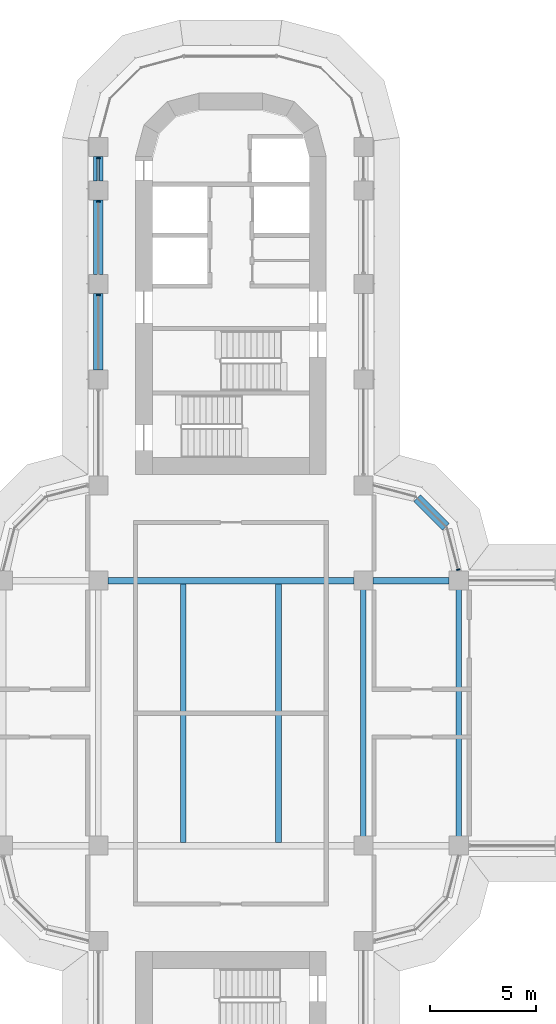
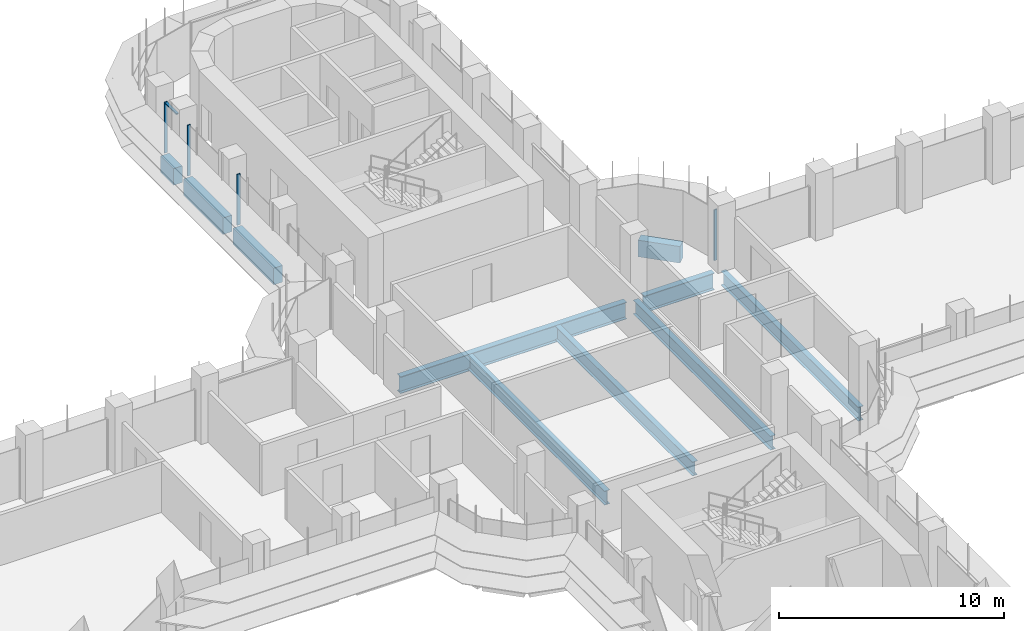
# One storey, part 7 of 21: 10 beams, 5 members, 2 elements without a shape of their own.
"""IFC4 building model written with IfcOpenShell, lengths in metres."""

from ifc_helpers import new_model, si_unit, direction, frame, origin, origin_2d, place, context, subcontext, project, spatial, polyline, rectangle, i_section, outline, extrude, source, transform, mapped, material, material_profile, profile_set, type_object, element, aggregate, save


model = new_model("IFC4")

# Units and contexts
model_context = context("Model", 3, precision=1e-05, world=origin(), true_north=direction((0.0, 1.0)))
body_context = subcontext(model_context, "Body", "Model", "MODEL_VIEW")
ifc_project = project(units=[si_unit("LENGTHUNIT", "METRE"), si_unit("AREAUNIT", "SQUARE_METRE"), si_unit("VOLUMEUNIT", "CUBIC_METRE"), si_unit("PLANEANGLEUNIT", "RADIAN"), si_unit("MASSUNIT", "GRAM", prefix="KILO")], contexts=[model_context])

# Site, building, storey
site_placement = place(None, origin())
site = spatial("IfcSite", under=ifc_project, at=site_placement, CompositionType="ELEMENT")
building_placement = place(site_placement, origin())
building = spatial("IfcBuilding", under=site, at=building_placement, Name="Zarbagh Exchange Tower", CompositionType="ELEMENT")
storey_placement = place(building_placement, frame((0.0, 0.0, 117.0)))
storey = spatial("IfcBuildingStorey", under=building, at=storey_placement, Name="L27", CompositionType="ELEMENT", Elevation=117.0)

# Beams
ifc_material_1 = material(Name="Steel ASTM A992 Gr 50", Category="steel")
ifc_material_profile_1 = material_profile(ifc_material_1, i_section(OverallWidth=0.2666015625, OverallDepth=0.7568359375, WebThickness=0.013916015625, FlangeThickness=0.019287109375, at=origin_2d()), Name="W30X108")
ifc_profile_set_1 = profile_set([ifc_material_profile_1], Name="Steel ASTM A992 Gr 50")
beam_type_1 = type_object("IfcBeamType", Name="Floor beam W30X108", PredefinedType="BEAM", material=ifc_profile_set_1)
for number, where, z_axis, x_axis, name in (
    (1, (-2.25, -6.09765625, -0.5283203125), (0.0, 1.0, 0.0), (-1.0, 0.0, 0.0), "Steel floor beam"),
    (2, (2.25, -6.09765625, -0.5283203125), (0.0, 1.0, 0.0), (-1.0, 0.0, 0.0), "Steel floor beam"),
    (3, (6.25, -6.09765625, -0.5283203125), (0.0, 1.0, 0.0), (-1.0, 0.0, 0.0), "Steel floor beam"),
    (4, (10.75, -6.09765625, -0.5283203125), (0.0, 1.0, 0.0), (-1.0, 0.0, 0.0), "Steel floor beam"),
):
    element("IfcBeam", number, at=place(storey_placement, frame(where, z_axis=z_axis, x_axis=x_axis)), inside=storey, type_object=beam_type_1, Name=name, PredefinedType="BEAM", context=body_context, shape_type="SweptSolid", body=[
        extrude(i_section(OverallWidth=0.2666015625, OverallDepth=0.7568359375, WebThickness=0.013916015625, FlangeThickness=0.019287109375, at=origin_2d()), origin(), (0.0, 0.0, 1.0), 12.1953125),
    ])
ifc_material_profile_2 = material_profile(ifc_material_1, i_section(OverallWidth=0.3046875, OverallDepth=0.911865234375, WebThickness=0.015869140625, FlangeThickness=0.02392578125, at=origin_2d()), Name="W36X150")
ifc_profile_set_2 = profile_set([ifc_material_profile_2], Name="Steel ASTM A992 Gr 50")
beam_type_2 = type_object("IfcBeamType", Name="Floor girder W36X150", PredefinedType="BEAM", material=ifc_profile_set_2)
beam_1_placement = place(storey_placement, frame((-5.800048828125, 6.25, -0.60595703125), z_axis=(1.0, 0.0, 0.0), x_axis=(0.0, 1.0, 0.0)))
element("IfcBeam", 5, at=beam_1_placement, inside=storey, type_object=beam_type_2, Name="Steel girder", PredefinedType="BEAM", context=body_context, shape_type="SweptSolid", body=[
    extrude(i_section(OverallWidth=0.3046875, OverallDepth=0.911865234375, WebThickness=0.015869140625, FlangeThickness=0.02392578125, at=origin_2d()), origin(), (0.0, 0.0, 1.0), 11.60009765625),
])
beam_2_placement = place(storey_placement, frame((6.699951171875, 6.25, -0.60595703125), z_axis=(1.0, 0.0, 0.0), x_axis=(0.0, 1.0, 0.0)))
element("IfcBeam", 6, at=beam_2_placement, inside=storey, type_object=beam_type_2, Name="Steel girder", PredefinedType="BEAM", context=body_context, shape_type="SweptSolid", body=[
    extrude(i_section(OverallWidth=0.3046875, OverallDepth=0.911865234375, WebThickness=0.015869140625, FlangeThickness=0.02392578125, at=origin_2d()), origin(), (0.0, 0.0, 1.0), 3.60009765625),
])
ifc_material_2 = material(Name="Concrete C60/75", Category="concrete")
ifc_material_profile_3 = material_profile(ifc_material_2, rectangle(XDim=0.449951171875, YDim=0.89990234375, at=origin_2d()), Name="RC spandrel beam 450 x 900 C60/75")
ifc_profile_set_3 = profile_set([ifc_material_profile_3], Name="Concrete C60/75")
beam_type_3 = type_object("IfcBeamType", Name="RC spandrel beam 450 x 900 C60/75", PredefinedType="SPANDREL", material=ifc_profile_set_3)
beam_3_placement = place(storey_placement, frame((-6.25, 16.199951171875, -0.60009765625), z_axis=(0.0, 1.0, 0.0), x_axis=(-1.0, 0.0, 0.0)))
element("IfcBeam", 7, at=beam_3_placement, inside=storey, type_object=beam_type_3, Name="RC spandrel beam", PredefinedType="SPANDREL", context=body_context, shape_type="SweptSolid", body=[
    extrude(rectangle(XDim=0.449951171875, YDim=0.89990234375, at=origin_2d()), origin(), (0.0, 0.0, 1.0), 3.60009765625),
])
beam_4_placement = place(storey_placement, frame((-6.25, 20.699951171875, -0.60009765625), z_axis=(0.0, 1.0, 0.0), x_axis=(-1.0, 0.0, 0.0)))
element("IfcBeam", 8, at=beam_4_placement, inside=storey, type_object=beam_type_3, Name="RC spandrel beam", PredefinedType="SPANDREL", context=body_context, shape_type="SweptSolid", body=[
    extrude(rectangle(XDim=0.449951171875, YDim=0.89990234375, at=origin_2d()), origin(), (0.0, 0.0, 1.0), 3.5),
])
beam_5_placement = place(storey_placement, frame((-6.25, 25.10009765625, -0.60009765625), z_axis=(0.0, 1.0, 0.0), x_axis=(-1.0, 0.0, 0.0)))
element("IfcBeam", 9, at=beam_5_placement, inside=storey, type_object=beam_type_3, Name="RC spandrel beam", PredefinedType="SPANDREL", context=body_context, shape_type="SweptSolid", body=[
    extrude(rectangle(XDim=0.449951171875, YDim=0.89990234375, at=origin_2d()), origin(), (0.0, 0.0, 1.0), 1.14990234375),
])
beam_6_placement = place(storey_placement, frame((8.78759765625, 10.15234375, -0.60009765625), z_axis=(0.707106781187, -0.707106781187, 0.0), x_axis=(0.707106781187, 0.707106781187, 0.0)))
element("IfcBeam", 10, at=beam_6_placement, inside=storey, type_object=beam_type_3, Name="RC spandrel beam", PredefinedType="SPANDREL", context=body_context, shape_type="SweptSolid", body=[
    extrude(rectangle(XDim=0.449951171875, YDim=0.89990234375, at=origin_2d()), origin(), (0.0, 0.0, 1.0), 1.929931640625),
])

# Curtain wall, member
ifc_material_3 = material(Name="Anodised aluminium frame and glazing", Category="aluminium")
curtain_wall_type = type_object("IfcCurtainWallType", Name="CWA Ribbon glazing, lower zones", PredefinedType="NOTDEFINED", material=ifc_material_3)
curtain_wall_1_placement = place(storey_placement, origin())
curtain_wall_1 = element("IfcCurtainWall", 11, at=curtain_wall_1_placement, inside=storey, type_object=curtain_wall_type, Name="CWA17 curtain wall", PredefinedType="NOTDEFINED")
ifc_material_4 = material(Name="Anodised aluminium frame", Category="aluminium")
member_type_1 = type_object("IfcMemberType", Name="MUA Mullion, anodised aluminium frame", PredefinedType="MULLION", material=ifc_material_4)
shared_shape_1 = source(origin(), body_context, "Body", "SweptSolid", [
    extrude(outline(polyline([(0.0, -0.080078125), (0.06005859375, -0.080078125), (0.06005859375, 0.080078125), (0.0, 0.080078125), (0.0, -0.080078125)])), origin(), (0.0, 0.0, 1.0), 2.75),
])
placement = place(storey_placement, origin())
member_1 = element("IfcMember", 12, at=placement, type_object=member_type_1, Name="CWA17 mullion 1.1", PredefinedType="MULLION", context=body_context, shape_type="MappedRepresentation", body=[
    mapped(shared_shape_1, transform((10.735107421875, 6.739990234375, 0.0), x_axis=(-0.258824779902, 0.965924289636, 0.0), y_axis=(-0.965924289636, -0.258824779902, 0.0), z_axis=(0.0, 0.0, 1.0))),
])
aggregate(curtain_wall_1, [member_1])

# Curtain wall, members
curtain_wall_2_placement = place(storey_placement, origin())
curtain_wall_2 = element("IfcCurtainWall", 13, at=curtain_wall_2_placement, inside=storey, type_object=curtain_wall_type, Name="CWA56 curtain wall", PredefinedType="NOTDEFINED")
member_2 = element("IfcMember", 14, at=placement, type_object=member_type_1, Name="CWA56 mullion 1.1", PredefinedType="MULLION", context=body_context, shape_type="MappedRepresentation", body=[
    mapped(shared_shape_1, transform((-6.25, 26.2099609375, 0.0), x_axis=(0.0, -1.0, 0.0), y_axis=(1.0, 0.0, 0.0), z_axis=(0.0, 0.0, 1.0))),
])
member_3 = element("IfcMember", 15, at=placement, type_object=member_type_1, Name="CWA56 mullion 2.1", PredefinedType="MULLION", context=body_context, shape_type="MappedRepresentation", body=[
    mapped(shared_shape_1, transform((-6.25, 24.159912109375, 0.0), x_axis=(0.0, -1.0, 0.0), y_axis=(1.0, 0.0, 0.0), z_axis=(0.0, 0.0, 1.0))),
])
member_4 = element("IfcMember", 16, at=placement, type_object=member_type_1, Name="CWA56 mullion 3.1", PredefinedType="MULLION", context=body_context, shape_type="MappedRepresentation", body=[
    mapped(shared_shape_1, transform((-6.25, 19.760009765625, 0.0), x_axis=(0.0, -1.0, 0.0), y_axis=(1.0, 0.0, 0.0), z_axis=(0.0, 0.0, 1.0))),
])
member_type_2 = type_object("IfcMemberType", Name="TRA Transom, anodised aluminium frame", PredefinedType="USERDEFINED", material=ifc_material_4)
shared_shape_2 = source(origin(), body_context, "Body", "SweptSolid", [
    extrude(outline(polyline([(-0.06005859375, -0.06005859375), (0.0, -0.06005859375), (0.0, 0.06005859375), (-0.06005859375, 0.06005859375), (-0.06005859375, -0.06005859375)])), origin(), (0.0, 0.0, 1.0), 1.010009765625),
])
member_5 = element("IfcMember", 17, at=placement, type_object=member_type_2, Name="CWA56 transom 1.1", ObjectType="TRANSOM", PredefinedType="USERDEFINED", context=body_context, shape_type="MappedRepresentation", body=[
    mapped(shared_shape_2, transform((-6.25, 26.14990234375, 2.75), x_axis=(0.0, 0.0, 1.0), y_axis=(-1.0, 0.0, 0.0), z_axis=(0.0, -1.0, 0.0))),
])
aggregate(curtain_wall_2, [member_2, member_5, member_3, member_4])

save(model, "model.ifc")
